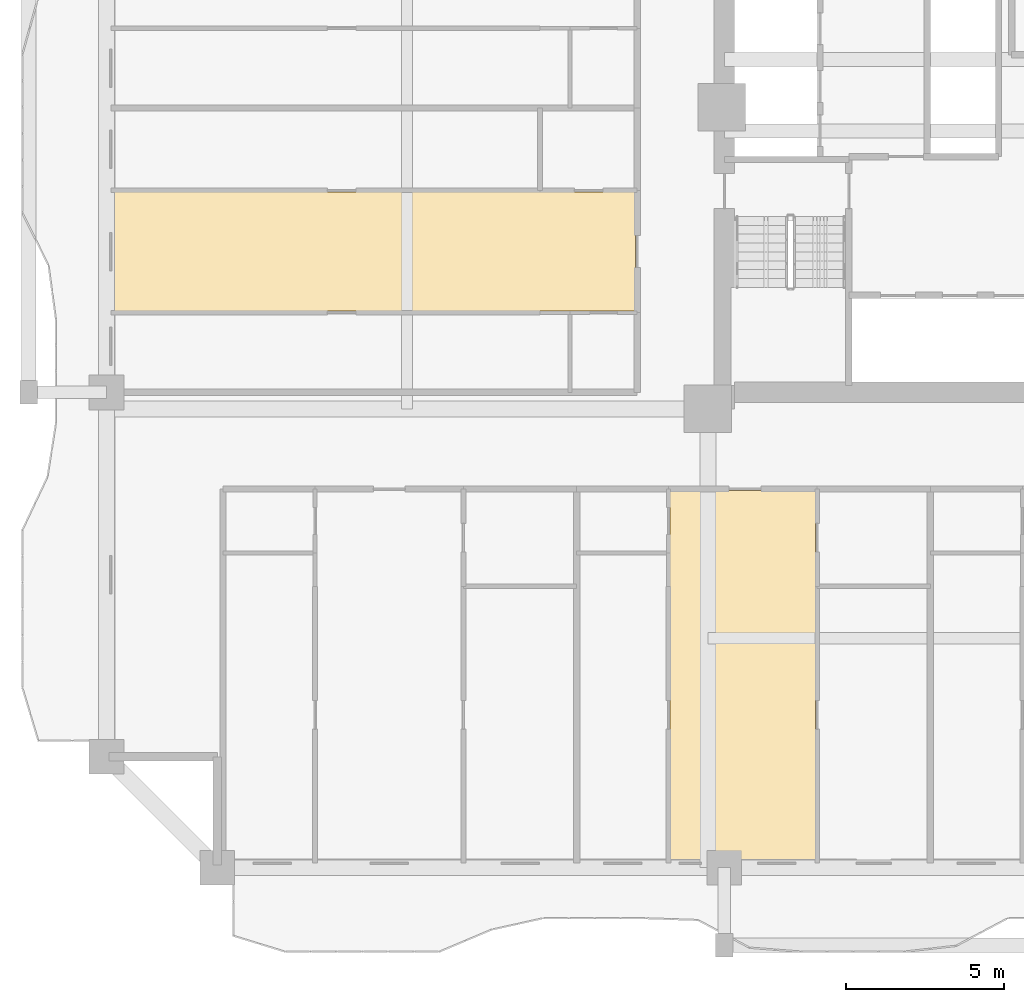
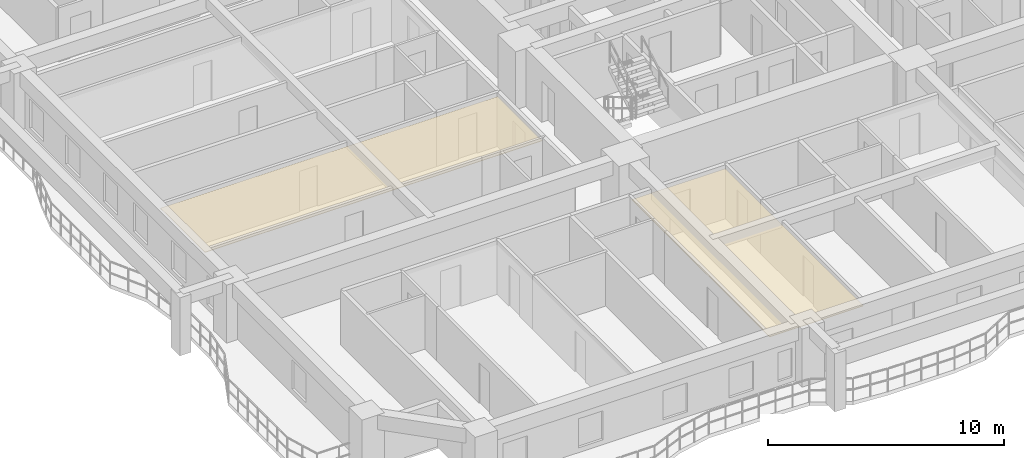
# One storey, part 12 of 18: 2 coverings.
"""IFC4 building model written with IfcOpenShell, lengths in metres."""

from ifc_helpers import new_model, si_unit, direction, frame, origin, place, context, subcontext, project, spatial, polyline, outline, extrude, material, layer, layer_set, type_object, element, save


model = new_model("IFC4")

# Units and contexts
model_context = context("Model", 3, precision=1e-05, world=origin(), true_north=direction((0.0, 1.0)))
body_context = subcontext(model_context, "Body", "Model", "MODEL_VIEW")
ifc_project = project(units=[si_unit("LENGTHUNIT", "METRE"), si_unit("AREAUNIT", "SQUARE_METRE"), si_unit("VOLUMEUNIT", "CUBIC_METRE"), si_unit("PLANEANGLEUNIT", "RADIAN"), si_unit("MASSUNIT", "GRAM", prefix="KILO")], contexts=[model_context])

# Site, building, storey
site_placement = place(None, origin())
site = spatial("IfcSite", under=ifc_project, at=site_placement, CompositionType="ELEMENT")
building_placement = place(site_placement, origin())
building = spatial("IfcBuilding", under=site, at=building_placement, Name="Saelheon Loggia Tower", CompositionType="ELEMENT")
storey_placement = place(building_placement, frame((0.0, 0.0, 40.39990234375)))
storey = spatial("IfcBuildingStorey", under=building, at=storey_placement, Name="L12", CompositionType="ELEMENT", Elevation=40.39990234375)

# Coverings
ifc_material = material(Name="Mineral-Fibre Acoustic Ceiling Board", Category="gypsum")
ifc_layer = layer(ifc_material, 0.02490234375)
ifc_layer_set = layer_set([ifc_layer], Name="Mineral-Fibre Acoustic Ceiling Board")
covering_type = type_object("IfcCoveringType", Name="Cov_Ceiling_Acoustic", PredefinedType="CEILING", material=ifc_layer_set)
covering_1_placement = place(storey_placement, frame((0.0, 0.0, 2.53515625)))
element("IfcCovering", 1, at=covering_1_placement, inside=storey, type_object=covering_type, Name="L12 Acoustic Suspended Ceiling", PredefinedType="CEILING", context=body_context, shape_type="SweptSolid", body=[
    extrude(outline(polyline([(29.79150390625, 3.199951171875), (34.37890625, 3.199951171875), (34.37890625, 14.89990234375), (29.79150390625, 14.89990234375), (29.79150390625, 3.199951171875)])), origin(), (0.0, 0.0, 1.0), 0.02490234375),
])
covering_2_placement = place(storey_placement, frame((0.0, 0.0, 2.53515625)))
element("IfcCovering", 2, at=covering_2_placement, inside=storey, type_object=covering_type, Name="L12 Acoustic Suspended Ceiling", PredefinedType="CEILING", context=body_context, shape_type="SweptSolid", body=[
    extrude(outline(polyline([(12.199951171875, 20.56298828125), (28.699951171875, 20.56298828125), (28.699951171875, 24.324951171875), (12.199951171875, 24.324951171875), (12.199951171875, 20.56298828125)])), origin(), (0.0, 0.0, 1.0), 0.02490234375),
])

save(model, "model.ifc")
